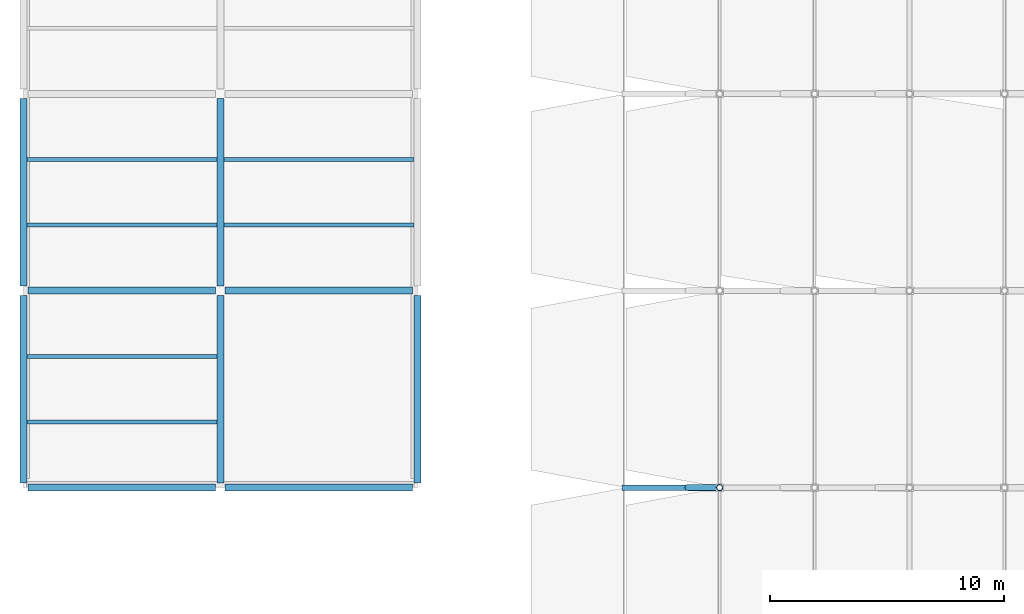
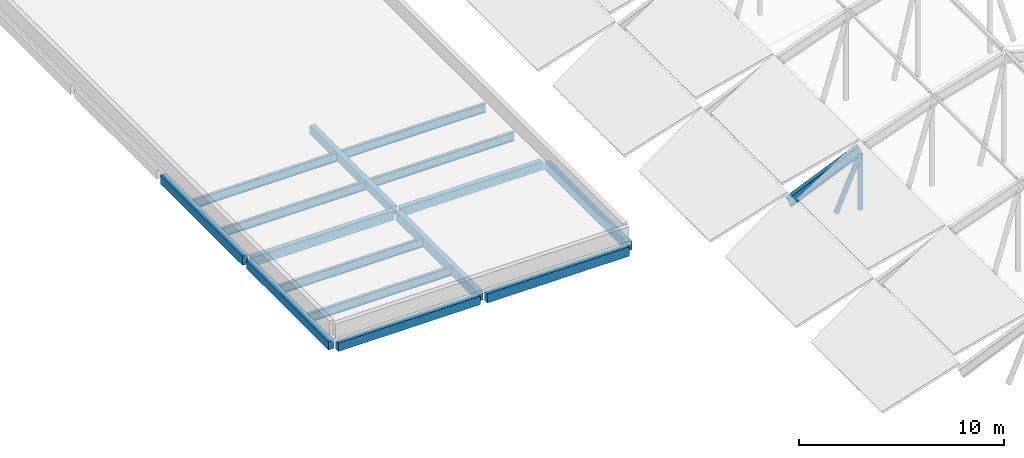
# One storey, part 2 of 22: 16 beams, 2 members.
"""IFC4 building model written with IfcOpenShell, lengths in metres."""

import ifcopenshell
import ifcopenshell.guid

model = None  # the IFC model being written
_history = None  # IfcOwnerHistory: only IFC2X3 demands one
_inside = {}  # id of a spatial element -> (the spatial element, [elements in it])
_under = {}  # id of a project, library or spatial element -> (it, [spatial elements below it])
_declared = {}  # id of a project -> (the project, [libraries it declares])
_typed = {}  # id of a type object -> (the type object, [elements of that type])
_made_of = {}  # id of a material, layer set ... -> (it, [elements and type objects made of it])


def new_model(schema):
    """Start an empty IFC model of exactly this schema.

    Asked for "IFC4X3", IfcOpenShell would pick the latest addendum, in which some entities
    have other attributes; the version numbers below select the first issue.
    IFC2X3 requires an IfcOwnerHistory on every rooted entity: one is made here for all.
    """
    global model, _history
    if schema == "IFC4X3":
        model = ifcopenshell.file(schema_version=(4, 3, 0, 0))
    else:
        model = ifcopenshell.file(schema=schema)
    _inside.clear()
    _under.clear()
    _declared.clear()
    _typed.clear()
    _made_of.clear()
    _history = None
    if model.schema == "IFC2X3":
        org = make("IfcOrganization", Name="unknown")
        user = make(
            "IfcPersonAndOrganization",
            ThePerson=make("IfcPerson", FamilyName="unknown"),
            TheOrganization=org,
        )
        app = make(
            "IfcApplication",
            ApplicationDeveloper=org,
            Version="unknown",
            ApplicationFullName="unknown",
            ApplicationIdentifier="unknown",
        )
        _history = make(
            "IfcOwnerHistory",
            OwningUser=user,
            OwningApplication=app,
            ChangeAction="ADDED",
            CreationDate=0,
        )
    return model


def make(cls, **values):
    """One entity of the class cls with the attributes given. An attribute that is None is left unset."""
    return model.create_entity(
        cls, **{name: value for name, value in values.items() if value is not None}
    )


def rooted(cls, **values):
    """An entity with a GlobalId (a new one), such as an element, a storey or a relation."""
    return make(cls, GlobalId=ifcopenshell.guid.new(), OwnerHistory=_history, **values)


def si_unit(unit_type, name, prefix=None):
    """IfcSIUnit, for example si_unit("LENGTHUNIT", "METRE", prefix="MILLI")."""
    return make("IfcSIUnit", UnitType=unit_type, Prefix=prefix, Name=name)


def assignment(units):
    """IfcUnitAssignment: the units of a project."""
    return None if units is None else make("IfcUnitAssignment", Units=units)


def point(xyz):
    """IfcCartesianPoint."""
    return None if xyz is None else make("IfcCartesianPoint", Coordinates=xyz)


def direction(xyz):
    """IfcDirection."""
    return None if xyz is None else make("IfcDirection", DirectionRatios=xyz)


def frame(location, z_axis=None, x_axis=None):
    """IfcAxis2Placement3D, a coordinate frame: its origin and axes. An axis left out is left unset."""
    return make(
        "IfcAxis2Placement3D",
        Location=point(location),
        Axis=direction(z_axis),
        RefDirection=direction(x_axis),
    )


def frame_2d(location, x_axis=None):
    """IfcAxis2Placement2D, a coordinate frame in the plane: its origin and x axis."""
    return make(
        "IfcAxis2Placement2D", Location=point(location), RefDirection=direction(x_axis)
    )


def origin():
    """The frame at (0, 0, 0) with its axes left unset."""
    return frame((0.0, 0.0, 0.0))


def origin_2d():
    """The frame at (0, 0) in the plane with its x axis left unset."""
    return frame_2d((0.0, 0.0))


def place(relative_to, where):
    """IfcLocalPlacement: puts the frame where relative to a parent placement (None: the world)."""
    return make(
        "IfcLocalPlacement", PlacementRelTo=relative_to, RelativePlacement=where
    )


def context(
    kind, dimensions, precision=None, world=None, true_north=None, identifier=None
):
    """IfcGeometricRepresentationContext, for example the 3D "Model" context."""
    return make(
        "IfcGeometricRepresentationContext",
        ContextIdentifier=identifier,
        ContextType=kind,
        CoordinateSpaceDimension=dimensions,
        Precision=precision,
        WorldCoordinateSystem=world,
        TrueNorth=true_north,
    )


def subcontext(parent, identifier, kind, view, scale=None):
    """IfcGeometricRepresentationSubContext, for example "Body" below "Model"."""
    return make(
        "IfcGeometricRepresentationSubContext",
        ContextIdentifier=identifier,
        ContextType=kind,
        ParentContext=parent,
        TargetScale=scale,
        TargetView=view,
    )


def project(units=None, contexts=None):
    """IfcProject with its units and contexts."""
    return rooted(
        "IfcProject",
        Name="project",
        RepresentationContexts=contexts,
        UnitsInContext=assignment(units),
    )


def spatial(cls, under=None, at=None, **own):
    """A site, building, storey or space (cls), placed at a placement, below another one or the project."""
    s = rooted(cls, ObjectPlacement=at, **own)
    if under is not None:
        _under.setdefault(under.id(), (under, []))[1].append(s)
    return s


def profile(cls, at=None, kind="AREA", **sizes):
    """A parametric profile (cls). Its sizes go by their IFC names, for example OverallWidth=200.0."""
    return make(cls, ProfileType=kind, Position=at, **sizes)


def rectangle(**sizes):
    """IfcRectangleProfileDef."""
    return profile("IfcRectangleProfileDef", **sizes)


def hollow_circle(**sizes):
    """IfcCircleHollowProfileDef."""
    return profile("IfcCircleHollowProfileDef", **sizes)


def i_section(**sizes):
    """IfcIShapeProfileDef."""
    return profile("IfcIShapeProfileDef", **sizes)


def extrude(swept, where, along, depth):
    """IfcExtrudedAreaSolid: the profile swept, set in the frame where, extruded along a direction by depth."""
    return make(
        "IfcExtrudedAreaSolid",
        SweptArea=swept,
        Position=where,
        ExtrudedDirection=direction(along),
        Depth=depth,
    )


def shape(context_of_items, identifier, shape_type, items):
    """IfcShapeRepresentation: the items that make up one representation, for example the "Body"."""
    return make(
        "IfcShapeRepresentation",
        ContextOfItems=context_of_items,
        RepresentationIdentifier=identifier,
        RepresentationType=shape_type,
        Items=items,
    )


def material(Name=None, Category=None):
    """IfcMaterial."""
    return make("IfcMaterial", Name=Name, Category=Category)


def material_profile(
    of_material, cross_section, Name=None, Category=None, Priority=None
):
    """IfcMaterialProfile: a cross section and its material."""
    return make(
        "IfcMaterialProfile",
        Name=Name,
        Material=of_material,
        Profile=cross_section,
        Priority=Priority,
        Category=Category,
    )


def profile_set(profiles, Name=None, composite=None):
    """IfcMaterialProfileSet."""
    return make(
        "IfcMaterialProfileSet",
        Name=Name,
        MaterialProfiles=profiles,
        CompositeProfile=composite,
    )


def made_of(thing, what):
    """Note that an element or type object is made of a material, layer set ...; save() writes the relation."""
    if what is not None:
        _made_of.setdefault(what.id(), (what, []))[1].append(thing)
    return thing


def type_object(cls, material=None, **own):
    """A type object (cls), such as IfcWallType, which elements share."""
    return made_of(rooted(cls, **own), material)


def element(
    cls,
    number,
    at=None,
    inside=None,
    cuts=None,
    type_object=None,
    material=None,
    context=None,
    identifier="Body",
    shape_type=None,
    held_by="IfcProductDefinitionShape",
    body=None,
    shapes=None,
    **own,
):
    """One element of the class cls, such as IfcWall. Its Tag is "e" and its number.

    at: its placement. inside: the storey or other place that contains it. cuts: it is an
    opening in that element (IfcRelVoidsElement). A single representation is given by context,
    identifier, shape_type and body (its items); several are given by shapes. held_by: the class
    of the entity that holds the representations. save() writes the other relations.
    """
    e = rooted(cls, Tag="e%d" % number, ObjectPlacement=at, **own)
    if body is not None:
        shapes = [shape(context, identifier, shape_type, body)]
    if shapes is not None:
        e.Representation = make(held_by, Representations=shapes)
    if inside is not None:
        _inside.setdefault(inside.id(), (inside, []))[1].append(e)
    if cuts is not None:
        rooted(
            "IfcRelVoidsElement", RelatingBuildingElement=cuts, RelatedOpeningElement=e
        )
    if type_object is not None:
        _typed.setdefault(type_object.id(), (type_object, []))[1].append(e)
    return made_of(e, material)


def aggregate(whole, parts):
    """IfcRelAggregates: a whole, such as a stair, and the parts it consists of."""
    return rooted("IfcRelAggregates", RelatingObject=whole, RelatedObjects=parts)


def save(model, path):
    """Write the relations noted so far, then the file.

    IfcRelAggregates (storeys below a building ...), IfcRelContainedInSpatialStructure (elements
    in a storey), IfcRelDefinesByType, IfcRelAssociatesMaterial and IfcRelDeclares: one each for
    every whole, place, type object, material and project.
    """
    for whole, parts in _under.values():
        aggregate(whole, parts)
    for where, things in _inside.values():
        rooted(
            "IfcRelContainedInSpatialStructure",
            RelatedElements=things,
            RelatingStructure=where,
        )
    for kind, things in _typed.values():
        rooted("IfcRelDefinesByType", RelatedObjects=things, RelatingType=kind)
    for what, things in _made_of.values():
        rooted("IfcRelAssociatesMaterial", RelatedObjects=things, RelatingMaterial=what)
    for by, libraries in _declared.values():
        rooted("IfcRelDeclares", RelatingContext=by, RelatedDefinitions=libraries)
    model.write(path)


model = new_model("IFC4")

# Units and contexts
model_context = context("Model", 3, precision=1e-05, world=origin(), true_north=direction((0.0, 1.0)))
body_context = subcontext(model_context, "Body", "Model", "MODEL_VIEW")
ifc_project = project(units=[si_unit("LENGTHUNIT", "METRE"), si_unit("AREAUNIT", "SQUARE_METRE"), si_unit("VOLUMEUNIT", "CUBIC_METRE"), si_unit("PLANEANGLEUNIT", "RADIAN"), si_unit("MASSUNIT", "GRAM", prefix="KILO")], contexts=[model_context])

# Site, building, storey
site_placement = place(None, origin())
site = spatial("IfcSite", under=ifc_project, at=site_placement, CompositionType="ELEMENT")
building_placement = place(site_placement, origin())
building = spatial("IfcBuilding", under=site, at=building_placement, Name="Vireocrest Preparatory School", CompositionType="ELEMENT")
storey_placement = place(building_placement, frame((0.0, 0.0, 25.800048828125)))
storey = spatial("IfcBuildingStorey", under=building, at=storey_placement, Name="RF", CompositionType="ELEMENT", Elevation=25.800048828125)

# Beams
ifc_material_1 = material(Name="Structural steel ASTM A992 Grade 50", Category="steel")
ifc_material_profile_1 = material_profile(ifc_material_1, i_section(OverallWidth=0.22802734375, OverallDepth=0.60302734375, WebThickness=0.010498046875, FlangeThickness=0.014892578125, FilletRadius=0.01611328125, at=origin_2d()), Name="W24X68")
ifc_profile_set_1 = profile_set([ifc_material_profile_1], Name="Structural steel ASTM A992 Grade 50")
beam_type_1 = type_object("IfcBeamType", Name="Dining Pavilion Roof Girder W24X68", PredefinedType="BEAM", material=ifc_profile_set_1)
beam_placement = place(storey_placement, frame((67.64990234375, 43.800048828125, -0.8056640625), z_axis=(0.918795164694, 0.0, 0.394734651804), x_axis=(0.0, 1.0, 0.0)))
element("IfcBeam", 1, at=beam_placement, inside=storey, type_object=beam_type_1, Name="Canopy Rafter Chord SB4-3-2", PredefinedType="BEAM", context=body_context, shape_type="SweptSolid", body=[
    extrude(i_section(OverallWidth=0.22802734375, OverallDepth=0.60302734375, WebThickness=0.010498046875, FlangeThickness=0.014892578125, FilletRadius=0.01611328125, at=origin_2d()), origin(), (0.0, 0.0, 1.0), 4.407958984375),
])
ifc_material_profile_2 = material_profile(ifc_material_1, i_section(OverallWidth=0.166015625, OverallDepth=0.529052734375, WebThickness=0.009765625, FlangeThickness=0.013671875, FilletRadius=0.014892578125, at=origin_2d()), Name="W21X50")
ifc_profile_set_2 = profile_set([ifc_material_profile_2], Name="Structural steel ASTM A992 Grade 50")
beam_type_2 = type_object("IfcBeamType", Name="Pavilion Roof Joist W21X50", PredefinedType="JOIST", material=ifc_profile_set_2)
for number, where, z_axis, x_axis, name in (
    (2, (42.14990234375, 46.60009765625, -0.484619140625), (1.0, 0.0, 0.0), (0.0, 1.0, 0.0), "Secondary Joist SJ1 RF-1725"),
    (3, (42.14990234375, 49.39990234375, -0.484619140625), (1.0, 0.0, 0.0), (0.0, 1.0, 0.0), "Secondary Joist SJ1 RF-1726"),
    (4, (42.14990234375, 55.0, -0.484619140625), (1.0, 0.0, 0.0), (0.0, 1.0, 0.0), "Secondary Joist SJ1 RF-1727"),
    (5, (42.14990234375, 57.800048828125, -0.484619140625), (1.0, 0.0, 0.0), (0.0, 1.0, 0.0), "Secondary Joist SJ1 RF-1728"),
):
    element("IfcBeam", number, at=place(storey_placement, frame(where, z_axis=z_axis, x_axis=x_axis)), inside=storey, type_object=beam_type_2, Name=name, PredefinedType="JOIST", context=body_context, shape_type="SweptSolid", body=[
        extrude(i_section(OverallWidth=0.166015625, OverallDepth=0.529052734375, WebThickness=0.009765625, FlangeThickness=0.013671875, FilletRadius=0.014892578125, at=origin_2d()), origin(), (0.0, 0.0, 1.0), 8.10009765625),
    ])
for number, where, z_axis, x_axis, name in (
    (6, (50.550048828125, 55.0, -0.484619140625), (1.0, 0.0, 0.0), (0.0, 1.0, 0.0), "Secondary Joist SJ1 RF-1739"),
    (7, (50.550048828125, 57.800048828125, -0.484619140625), (1.0, 0.0, 0.0), (0.0, 1.0, 0.0), "Secondary Joist SJ1 RF-1740"),
):
    element("IfcBeam", number, at=place(storey_placement, frame(where, z_axis=z_axis, x_axis=x_axis)), inside=storey, type_object=beam_type_2, Name=name, PredefinedType="JOIST", context=body_context, shape_type="SweptSolid", body=[
        extrude(i_section(OverallWidth=0.166015625, OverallDepth=0.529052734375, WebThickness=0.009765625, FlangeThickness=0.013671875, FilletRadius=0.014892578125, at=origin_2d()), origin(), (0.0, 0.0, 1.0), 8.099853515625),
    ])
ifc_material_2 = material(Name="Concrete 40 MPa", Category="concrete")
ifc_material_profile_3 = material_profile(ifc_material_2, rectangle(XDim=0.300048828125, YDim=0.5, at=origin_2d()), Name="RC 300x500")
ifc_profile_set_3 = profile_set([ifc_material_profile_3], Name="Concrete 40 MPa")
beam_type_3 = type_object("IfcBeamType", Name="RC Roof Edge Beam 300x500", PredefinedType="BEAM", material=ifc_profile_set_3)
for number, where, z_axis, x_axis, name in (
    (8, (42.199951171875, 43.800048828125, -0.469970703125), (1.0, 0.0, 0.0), (0.0, 1.0, 0.0), "Primary Girder B01 RF-1681"),
    (9, (50.60009765625, 52.199951171875, -0.469970703125), (1.0, 0.0, 0.0), (0.0, 1.0, 0.0), "Primary Girder B01 RF-1685"),
    (10, (42.0, 44.0, -0.469970703125), (0.0, 1.0, 0.0), (-1.0, 0.0, 0.0), "Primary Girder B01 RF-1700"),
    (11, (50.39990234375, 52.39990234375, -0.469970703125), (0.0, 1.0, 0.0), (-1.0, 0.0, 0.0), "Primary Girder B01 RF-1708"),
    (12, (58.800048828125, 44.0, -0.469970703125), (0.0, 1.0, 0.0), (-1.0, 0.0, 0.0), "Primary Girder B01 RF-1714"),
):
    element("IfcBeam", number, at=place(storey_placement, frame(where, z_axis=z_axis, x_axis=x_axis)), inside=storey, type_object=beam_type_3, Name=name, PredefinedType="BEAM", context=body_context, shape_type="SweptSolid", body=[
        extrude(rectangle(XDim=0.300048828125, YDim=0.5, at=origin_2d()), origin(), (0.0, 0.0, 1.0), 8.0),
    ])
ifc_material_profile_4 = material_profile(ifc_material_2, rectangle(XDim=0.300048828125, YDim=0.550048828125, at=origin_2d()), Name="RC 300x550")
ifc_profile_set_4 = profile_set([ifc_material_profile_4], Name="Concrete 40 MPa")
beam_type_4 = type_object("IfcBeamType", Name="RC Roof Girder 300x550", PredefinedType="BEAM", material=ifc_profile_set_4)
for number, where, z_axis, x_axis, name in (
    (13, (50.60009765625, 43.800048828125, -0.4951171875), (1.0, 0.0, 0.0), (0.0, 1.0, 0.0), "Primary Girder B02 RF-1682"),
    (14, (42.199951171875, 52.199951171875, -0.4951171875), (1.0, 0.0, 0.0), (0.0, 1.0, 0.0), "Primary Girder B02 RF-1684"),
    (15, (42.0, 52.39990234375, -0.4951171875), (0.0, 1.0, 0.0), (-1.0, 0.0, 0.0), "Primary Girder B02 RF-1701"),
    (16, (50.39990234375, 44.0, -0.4951171875), (0.0, 1.0, 0.0), (-1.0, 0.0, 0.0), "Primary Girder B02 RF-1707"),
):
    element("IfcBeam", number, at=place(storey_placement, frame(where, z_axis=z_axis, x_axis=x_axis)), inside=storey, type_object=beam_type_4, Name=name, PredefinedType="BEAM", context=body_context, shape_type="SweptSolid", body=[
        extrude(rectangle(XDim=0.300048828125, YDim=0.550048828125, at=origin_2d()), origin(), (0.0, 0.0, 1.0), 8.0),
    ])

# Members
ifc_material_3 = material(Name="Painted white steel ASTM A500 Grade C", Category="steel")
ifc_material_profile_5 = material_profile(ifc_material_3, hollow_circle(Radius=0.136474609375, WallThickness=0.0126953125, at=origin_2d()), Name="HSS10.750X0.500")
ifc_profile_set_5 = profile_set([ifc_material_profile_5], Name="Painted white steel ASTM A500 Grade C")
member_type = type_object("IfcMemberType", Name="White Steel Clerestory Strut HSS10.750X0.500", PredefinedType="USERDEFINED", material=ifc_profile_set_5)
member_1_placement = place(storey_placement, frame((71.699951171875, 43.800048828125, -2.62255859375), z_axis=(0.0, 0.0, 1.0), x_axis=(1.0, 0.0, 0.0)))
element("IfcMember", 17, at=member_1_placement, inside=storey, type_object=member_type, Name="Canopy Truss Web Vertical VS3-3-3", ObjectType="STRUT", PredefinedType="USERDEFINED", context=body_context, shape_type="SweptSolid", body=[
    extrude(hollow_circle(Radius=0.136474609375, WallThickness=0.0126953125, at=origin_2d()), origin(), (0.0, 0.0, 1.0), 3.280517578125),
])
member_2_placement = place(storey_placement, frame((70.35009765625, 43.800048828125, -2.385009765625), z_axis=(0.405491921788, 0.0, 0.91409862781), x_axis=(0.0, 1.0, 0.0)))
element("IfcMember", 18, at=member_2_placement, inside=storey, type_object=member_type, Name="Canopy Truss Web Strut VS3-3-2", ObjectType="STRUT", PredefinedType="USERDEFINED", context=body_context, shape_type="SweptSolid", body=[
    extrude(hollow_circle(Radius=0.136474609375, WallThickness=0.0126953125, at=origin_2d()), origin(), (0.0, 0.0, 1.0), 3.328857421875),
])

save(model, "model.ifc")
